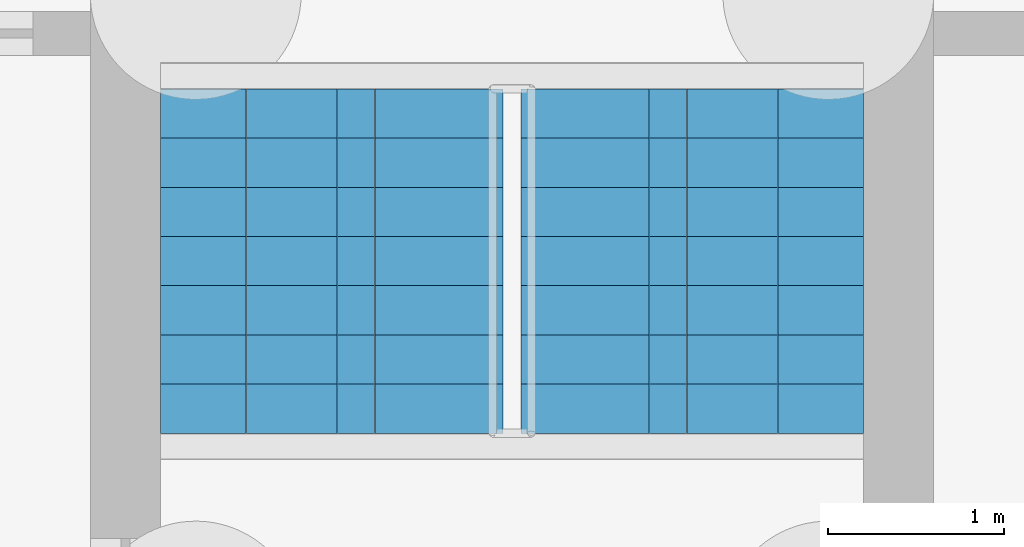
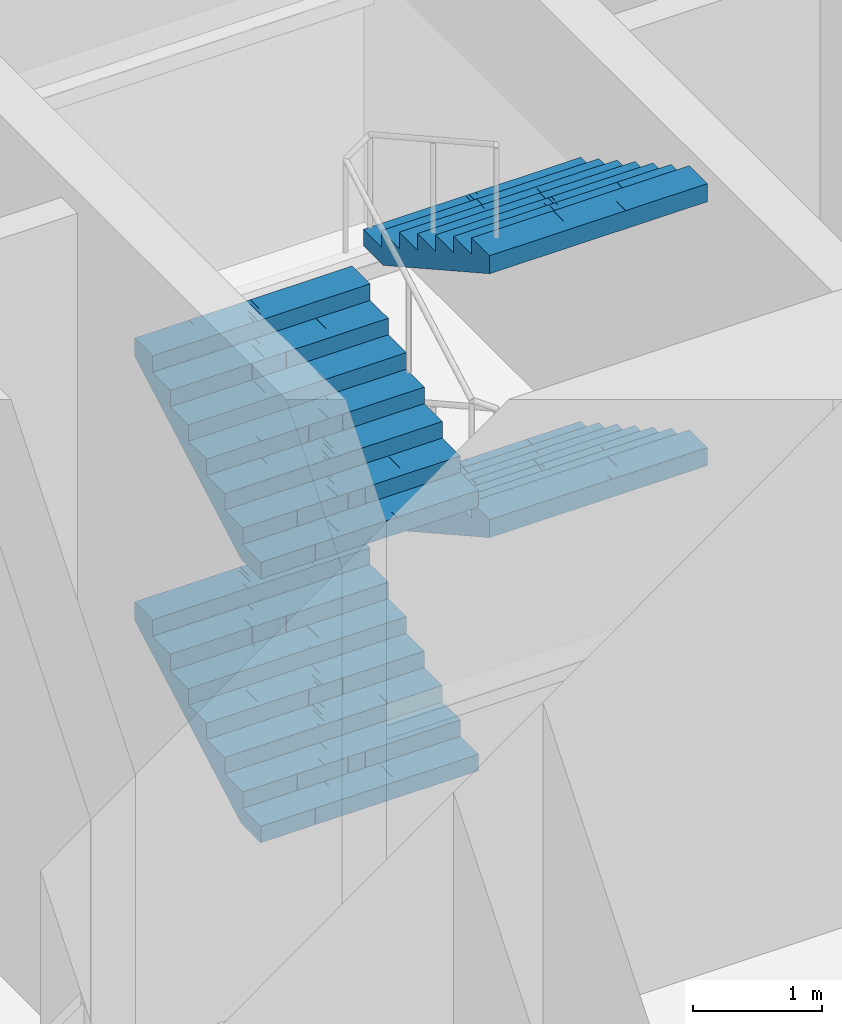
# One storey, part 17 of 31: 4 stair flights, 1 element without a shape of its own.
"""IFC4 building model written with IfcOpenShell, lengths in metres."""

from ifc_helpers import new_model, si_unit, direction, frame, origin, place, context, subcontext, project, spatial, polyline, outline, extrude, material, type_object, element, aggregate, save


model = new_model("IFC4")

# Units and contexts
model_context = context("Model", 3, precision=1e-05, world=origin(), true_north=direction((0.0, 1.0)))
body_context = subcontext(model_context, "Body", "Model", "MODEL_VIEW")
ifc_project = project(units=[si_unit("LENGTHUNIT", "METRE"), si_unit("AREAUNIT", "SQUARE_METRE"), si_unit("VOLUMEUNIT", "CUBIC_METRE"), si_unit("PLANEANGLEUNIT", "RADIAN"), si_unit("MASSUNIT", "GRAM", prefix="KILO")], contexts=[model_context])

# Site, building, storey
site_placement = place(None, origin())
site = spatial("IfcSite", under=ifc_project, at=site_placement, CompositionType="ELEMENT")
building_placement = place(site_placement, origin())
building = spatial("IfcBuilding", under=site, at=building_placement, Name="Mizan Broadcast Tower", CompositionType="ELEMENT")
storey_placement = place(building_placement, frame((0.0, 0.0, -10.0)))
storey = spatial("IfcBuildingStorey", under=building, at=storey_placement, Name="B2", CompositionType="ELEMENT", Elevation=-10.0)

# Stair, stair flights
ifc_material_1 = material(Name="Concrete C40/50", Category="concrete")
stair_type = type_object("IfcStairType", Name="EXIT STAIR", PredefinedType="HALF_TURN_STAIR", material=ifc_material_1)
stair_placement = place(storey_placement, origin())
stair = element("IfcStair", 1, at=stair_placement, inside=storey, type_object=stair_type, Name="Stair A B2", PredefinedType="HALF_TURN_STAIR")
ifc_material_2 = material(Name="Concrete C40/50", Category="concrete")
stair_flight_type = type_object("IfcStairFlightType", Name="EXIT STAIR FLIGHT", PredefinedType="STRAIGHT", material=ifc_material_2)
stair_flight_1_placement = place(storey_placement, frame((-1.02490234375, -7.89990234375, 0.0), z_axis=(0.0, 0.0, 1.0), x_axis=(0.0, 1.0, 0.0)))
stair_flight_1 = element("IfcStairFlight", 2, at=stair_flight_1_placement, type_object=stair_flight_type, Name="A flight 1", NumberOfRisers=8, NumberOfTreads=7, PredefinedType="STRAIGHT", RiserHeight=0.15625, TreadLength=0.28, context=body_context, shape_type="SweptSolid", body=[
    extrude(outline(polyline([(0.0, 0.0), (0.0, 0.15625), (0.280029296875, 0.15625), (0.280029296875, 0.3125), (0.56005859375, 0.3125), (0.56005859375, 0.46875), (0.840087890625, 0.46875), (0.840087890625, 0.625), (1.1201171875, 0.625), (1.1201171875, 0.78125), (1.39990234375, 0.78125), (1.39990234375, 0.9375), (1.679931640625, 0.9375), (1.679931640625, 1.09375), (1.9599609375, 1.09375), (1.9599609375, 1.25), (1.9599609375, 0.922119140625), (0.3076171875, 0.0), (0.0, 0.0)])), frame((0.0, 0.97509765625, 0.0), z_axis=(0.0, -1.0, 0.0), x_axis=(1.0, 0.0, 0.0)), (0.0, 0.0, 1.0), 0.4873046875),
    extrude(outline(polyline([(0.0, 0.0), (0.0, 0.15625), (0.280029296875, 0.15625), (0.280029296875, 0.3125), (0.56005859375, 0.3125), (0.56005859375, 0.46875), (0.840087890625, 0.46875), (0.840087890625, 0.625), (1.1201171875, 0.625), (1.1201171875, 0.78125), (1.39990234375, 0.78125), (1.39990234375, 0.9375), (1.679931640625, 0.9375), (1.679931640625, 1.09375), (1.9599609375, 1.09375), (1.9599609375, 1.25), (1.9599609375, 0.922119140625), (0.3076171875, 0.0), (0.0, 0.0)])), frame((0.0, 0.4873046875, 0.0), z_axis=(0.0, -1.0, 0.0), x_axis=(1.0, 0.0, 0.0)), (0.0, 0.0, 1.0), 0.2431640625),
    extrude(outline(polyline([(0.0, 0.0), (0.0, 0.15625), (0.280029296875, 0.15625), (0.280029296875, 0.3125), (0.56005859375, 0.3125), (0.56005859375, 0.46875), (0.840087890625, 0.46875), (0.840087890625, 0.625), (1.1201171875, 0.625), (1.1201171875, 0.78125), (1.39990234375, 0.78125), (1.39990234375, 0.9375), (1.679931640625, 0.9375), (1.679931640625, 1.09375), (1.9599609375, 1.09375), (1.9599609375, 1.25), (1.9599609375, 0.922119140625), (0.3076171875, 0.0), (0.0, 0.0)])), frame((0.0, 0.24365234375, 0.0), z_axis=(0.0, -1.0, 0.0), x_axis=(1.0, 0.0, 0.0)), (0.0, 0.0, 1.0), 0.121337890625),
    extrude(outline(polyline([(0.0, 0.0), (0.0, 0.15625), (0.280029296875, 0.15625), (0.280029296875, 0.3125), (0.56005859375, 0.3125), (0.56005859375, 0.46875), (0.840087890625, 0.46875), (0.840087890625, 0.625), (1.1201171875, 0.625), (1.1201171875, 0.78125), (1.39990234375, 0.78125), (1.39990234375, 0.9375), (1.679931640625, 0.9375), (1.679931640625, 1.09375), (1.9599609375, 1.09375), (1.9599609375, 1.25), (1.9599609375, 0.922119140625), (0.3076171875, 0.0), (0.0, 0.0)])), frame((0.0, 0.121826171875, 0.0), z_axis=(0.0, -1.0, 0.0), x_axis=(1.0, 0.0, 0.0)), (0.0, 0.0, 1.0), 0.060546875),
    extrude(outline(polyline([(0.0, 0.0), (0.0, 0.15625), (0.280029296875, 0.15625), (0.280029296875, 0.3125), (0.56005859375, 0.3125), (0.56005859375, 0.46875), (0.840087890625, 0.46875), (0.840087890625, 0.625), (1.1201171875, 0.625), (1.1201171875, 0.78125), (1.39990234375, 0.78125), (1.39990234375, 0.9375), (1.679931640625, 0.9375), (1.679931640625, 1.09375), (1.9599609375, 1.09375), (1.9599609375, 1.25), (1.9599609375, 0.922119140625), (0.3076171875, 0.0), (0.0, 0.0)])), frame((0.0, 0.060791015625, 0.0), z_axis=(0.0, -1.0, 0.0), x_axis=(1.0, 0.0, 0.0)), (0.0, 0.0, 1.0), 0.030029296875),
    extrude(outline(polyline([(0.0, 0.0), (0.0, 0.15625), (0.280029296875, 0.15625), (0.280029296875, 0.3125), (0.56005859375, 0.3125), (0.56005859375, 0.46875), (0.840087890625, 0.46875), (0.840087890625, 0.625), (1.1201171875, 0.625), (1.1201171875, 0.78125), (1.39990234375, 0.78125), (1.39990234375, 0.9375), (1.679931640625, 0.9375), (1.679931640625, 1.09375), (1.9599609375, 1.09375), (1.9599609375, 1.25), (1.9599609375, 0.922119140625), (0.3076171875, 0.0), (0.0, 0.0)])), frame((0.0, 0.0302734375, 0.0), z_axis=(0.0, -1.0, 0.0), x_axis=(1.0, 0.0, 0.0)), (0.0, 0.0, 1.0), 0.060302734375),
    extrude(outline(polyline([(0.0, 0.0), (0.0, 0.15625), (0.280029296875, 0.15625), (0.280029296875, 0.3125), (0.56005859375, 0.3125), (0.56005859375, 0.46875), (0.840087890625, 0.46875), (0.840087890625, 0.625), (1.1201171875, 0.625), (1.1201171875, 0.78125), (1.39990234375, 0.78125), (1.39990234375, 0.9375), (1.679931640625, 0.9375), (1.679931640625, 1.09375), (1.9599609375, 1.09375), (1.9599609375, 1.25), (1.9599609375, 0.922119140625), (0.3076171875, 0.0), (0.0, 0.0)])), frame((0.0, -0.030517578125, 0.0), z_axis=(0.0, -1.0, 0.0), x_axis=(1.0, 0.0, 0.0)), (0.0, 0.0, 1.0), 0.030029296875),
    extrude(outline(polyline([(0.0, 0.0), (0.0, 0.15625), (0.280029296875, 0.15625), (0.280029296875, 0.3125), (0.56005859375, 0.3125), (0.56005859375, 0.46875), (0.840087890625, 0.46875), (0.840087890625, 0.625), (1.1201171875, 0.625), (1.1201171875, 0.78125), (1.39990234375, 0.78125), (1.39990234375, 0.9375), (1.679931640625, 0.9375), (1.679931640625, 1.09375), (1.9599609375, 1.09375), (1.9599609375, 1.25), (1.9599609375, 0.922119140625), (0.3076171875, 0.0), (0.0, 0.0)])), frame((0.0, -0.06103515625, 0.0), z_axis=(0.0, -1.0, 0.0), x_axis=(1.0, 0.0, 0.0)), (0.0, 0.0, 1.0), 0.060546875),
    extrude(outline(polyline([(0.0, 0.0), (0.0, 0.15625), (0.280029296875, 0.15625), (0.280029296875, 0.3125), (0.56005859375, 0.3125), (0.56005859375, 0.46875), (0.840087890625, 0.46875), (0.840087890625, 0.625), (1.1201171875, 0.625), (1.1201171875, 0.78125), (1.39990234375, 0.78125), (1.39990234375, 0.9375), (1.679931640625, 0.9375), (1.679931640625, 1.09375), (1.9599609375, 1.09375), (1.9599609375, 1.25), (1.9599609375, 0.922119140625), (0.3076171875, 0.0), (0.0, 0.0)])), frame((0.0, -0.1220703125, 0.0), z_axis=(0.0, -1.0, 0.0), x_axis=(1.0, 0.0, 0.0)), (0.0, 0.0, 1.0), 0.121337890625),
    extrude(outline(polyline([(0.0, 0.0), (0.0, 0.15625), (0.280029296875, 0.15625), (0.280029296875, 0.3125), (0.56005859375, 0.3125), (0.56005859375, 0.46875), (0.840087890625, 0.46875), (0.840087890625, 0.625), (1.1201171875, 0.625), (1.1201171875, 0.78125), (1.39990234375, 0.78125), (1.39990234375, 0.9375), (1.679931640625, 0.9375), (1.679931640625, 1.09375), (1.9599609375, 1.09375), (1.9599609375, 1.25), (1.9599609375, 0.922119140625), (0.3076171875, 0.0), (0.0, 0.0)])), frame((0.0, -0.243896484375, 0.0), z_axis=(0.0, -1.0, 0.0), x_axis=(1.0, 0.0, 0.0)), (0.0, 0.0, 1.0), 0.2431640625),
    extrude(outline(polyline([(0.0, 0.0), (0.0, 0.15625), (0.280029296875, 0.15625), (0.280029296875, 0.3125), (0.56005859375, 0.3125), (0.56005859375, 0.46875), (0.840087890625, 0.46875), (0.840087890625, 0.625), (1.1201171875, 0.625), (1.1201171875, 0.78125), (1.39990234375, 0.78125), (1.39990234375, 0.9375), (1.679931640625, 0.9375), (1.679931640625, 1.09375), (1.9599609375, 1.09375), (1.9599609375, 1.25), (1.9599609375, 0.922119140625), (0.3076171875, 0.0), (0.0, 0.0)])), frame((0.0, -0.487548828125, 0.0), z_axis=(0.0, -1.0, 0.0), x_axis=(1.0, 0.0, 0.0)), (0.0, 0.0, 1.0), 0.4873046875),
])
stair_flight_2_placement = place(storey_placement, frame((1.02490234375, -5.93994140625, 1.25), z_axis=(0.0, 0.0, 1.0), x_axis=(0.0, -1.0, 0.0)))
stair_flight_2 = element("IfcStairFlight", 3, at=stair_flight_2_placement, type_object=stair_flight_type, Name="A flight 2", NumberOfRisers=8, NumberOfTreads=7, PredefinedType="STRAIGHT", RiserHeight=0.15625, TreadLength=0.28, context=body_context, shape_type="SweptSolid", body=[
    extrude(outline(polyline([(0.0, 0.0), (0.0, 0.15625), (0.280029296875, 0.15625), (0.280029296875, 0.3125), (0.56005859375, 0.3125), (0.56005859375, 0.46875), (0.840087890625, 0.46875), (0.840087890625, 0.625), (1.1201171875, 0.625), (1.1201171875, 0.78125), (1.39990234375, 0.78125), (1.39990234375, 0.9375), (1.679931640625, 0.9375), (1.679931640625, 1.09375), (1.9599609375, 1.09375), (1.9599609375, 1.25), (1.9599609375, 0.922119140625), (0.3076171875, 0.0), (0.0, 0.0)])), frame((0.0, 0.97509765625, 0.0), z_axis=(0.0, -1.0, 0.0), x_axis=(1.0, 0.0, 0.0)), (0.0, 0.0, 1.0), 0.4873046875),
    extrude(outline(polyline([(0.0, 0.0), (0.0, 0.15625), (0.280029296875, 0.15625), (0.280029296875, 0.3125), (0.56005859375, 0.3125), (0.56005859375, 0.46875), (0.840087890625, 0.46875), (0.840087890625, 0.625), (1.1201171875, 0.625), (1.1201171875, 0.78125), (1.39990234375, 0.78125), (1.39990234375, 0.9375), (1.679931640625, 0.9375), (1.679931640625, 1.09375), (1.9599609375, 1.09375), (1.9599609375, 1.25), (1.9599609375, 0.922119140625), (0.3076171875, 0.0), (0.0, 0.0)])), frame((0.0, 0.4873046875, 0.0), z_axis=(0.0, -1.0, 0.0), x_axis=(1.0, 0.0, 0.0)), (0.0, 0.0, 1.0), 0.2431640625),
    extrude(outline(polyline([(0.0, 0.0), (0.0, 0.15625), (0.280029296875, 0.15625), (0.280029296875, 0.3125), (0.56005859375, 0.3125), (0.56005859375, 0.46875), (0.840087890625, 0.46875), (0.840087890625, 0.625), (1.1201171875, 0.625), (1.1201171875, 0.78125), (1.39990234375, 0.78125), (1.39990234375, 0.9375), (1.679931640625, 0.9375), (1.679931640625, 1.09375), (1.9599609375, 1.09375), (1.9599609375, 1.25), (1.9599609375, 0.922119140625), (0.3076171875, 0.0), (0.0, 0.0)])), frame((0.0, 0.24365234375, 0.0), z_axis=(0.0, -1.0, 0.0), x_axis=(1.0, 0.0, 0.0)), (0.0, 0.0, 1.0), 0.121337890625),
    extrude(outline(polyline([(0.0, 0.0), (0.0, 0.15625), (0.280029296875, 0.15625), (0.280029296875, 0.3125), (0.56005859375, 0.3125), (0.56005859375, 0.46875), (0.840087890625, 0.46875), (0.840087890625, 0.625), (1.1201171875, 0.625), (1.1201171875, 0.78125), (1.39990234375, 0.78125), (1.39990234375, 0.9375), (1.679931640625, 0.9375), (1.679931640625, 1.09375), (1.9599609375, 1.09375), (1.9599609375, 1.25), (1.9599609375, 0.922119140625), (0.3076171875, 0.0), (0.0, 0.0)])), frame((0.0, 0.121826171875, 0.0), z_axis=(0.0, -1.0, 0.0), x_axis=(1.0, 0.0, 0.0)), (0.0, 0.0, 1.0), 0.060546875),
    extrude(outline(polyline([(0.0, 0.0), (0.0, 0.15625), (0.280029296875, 0.15625), (0.280029296875, 0.3125), (0.56005859375, 0.3125), (0.56005859375, 0.46875), (0.840087890625, 0.46875), (0.840087890625, 0.625), (1.1201171875, 0.625), (1.1201171875, 0.78125), (1.39990234375, 0.78125), (1.39990234375, 0.9375), (1.679931640625, 0.9375), (1.679931640625, 1.09375), (1.9599609375, 1.09375), (1.9599609375, 1.25), (1.9599609375, 0.922119140625), (0.3076171875, 0.0), (0.0, 0.0)])), frame((0.0, 0.060791015625, 0.0), z_axis=(0.0, -1.0, 0.0), x_axis=(1.0, 0.0, 0.0)), (0.0, 0.0, 1.0), 0.030029296875),
    extrude(outline(polyline([(0.0, 0.0), (0.0, 0.15625), (0.280029296875, 0.15625), (0.280029296875, 0.3125), (0.56005859375, 0.3125), (0.56005859375, 0.46875), (0.840087890625, 0.46875), (0.840087890625, 0.625), (1.1201171875, 0.625), (1.1201171875, 0.78125), (1.39990234375, 0.78125), (1.39990234375, 0.9375), (1.679931640625, 0.9375), (1.679931640625, 1.09375), (1.9599609375, 1.09375), (1.9599609375, 1.25), (1.9599609375, 0.922119140625), (0.3076171875, 0.0), (0.0, 0.0)])), frame((0.0, 0.0302734375, 0.0), z_axis=(0.0, -1.0, 0.0), x_axis=(1.0, 0.0, 0.0)), (0.0, 0.0, 1.0), 0.060302734375),
    extrude(outline(polyline([(0.0, 0.0), (0.0, 0.15625), (0.280029296875, 0.15625), (0.280029296875, 0.3125), (0.56005859375, 0.3125), (0.56005859375, 0.46875), (0.840087890625, 0.46875), (0.840087890625, 0.625), (1.1201171875, 0.625), (1.1201171875, 0.78125), (1.39990234375, 0.78125), (1.39990234375, 0.9375), (1.679931640625, 0.9375), (1.679931640625, 1.09375), (1.9599609375, 1.09375), (1.9599609375, 1.25), (1.9599609375, 0.922119140625), (0.3076171875, 0.0), (0.0, 0.0)])), frame((0.0, -0.030517578125, 0.0), z_axis=(0.0, -1.0, 0.0), x_axis=(1.0, 0.0, 0.0)), (0.0, 0.0, 1.0), 0.030029296875),
    extrude(outline(polyline([(0.0, 0.0), (0.0, 0.15625), (0.280029296875, 0.15625), (0.280029296875, 0.3125), (0.56005859375, 0.3125), (0.56005859375, 0.46875), (0.840087890625, 0.46875), (0.840087890625, 0.625), (1.1201171875, 0.625), (1.1201171875, 0.78125), (1.39990234375, 0.78125), (1.39990234375, 0.9375), (1.679931640625, 0.9375), (1.679931640625, 1.09375), (1.9599609375, 1.09375), (1.9599609375, 1.25), (1.9599609375, 0.922119140625), (0.3076171875, 0.0), (0.0, 0.0)])), frame((0.0, -0.06103515625, 0.0), z_axis=(0.0, -1.0, 0.0), x_axis=(1.0, 0.0, 0.0)), (0.0, 0.0, 1.0), 0.060546875),
    extrude(outline(polyline([(0.0, 0.0), (0.0, 0.15625), (0.280029296875, 0.15625), (0.280029296875, 0.3125), (0.56005859375, 0.3125), (0.56005859375, 0.46875), (0.840087890625, 0.46875), (0.840087890625, 0.625), (1.1201171875, 0.625), (1.1201171875, 0.78125), (1.39990234375, 0.78125), (1.39990234375, 0.9375), (1.679931640625, 0.9375), (1.679931640625, 1.09375), (1.9599609375, 1.09375), (1.9599609375, 1.25), (1.9599609375, 0.922119140625), (0.3076171875, 0.0), (0.0, 0.0)])), frame((0.0, -0.1220703125, 0.0), z_axis=(0.0, -1.0, 0.0), x_axis=(1.0, 0.0, 0.0)), (0.0, 0.0, 1.0), 0.121337890625),
    extrude(outline(polyline([(0.0, 0.0), (0.0, 0.15625), (0.280029296875, 0.15625), (0.280029296875, 0.3125), (0.56005859375, 0.3125), (0.56005859375, 0.46875), (0.840087890625, 0.46875), (0.840087890625, 0.625), (1.1201171875, 0.625), (1.1201171875, 0.78125), (1.39990234375, 0.78125), (1.39990234375, 0.9375), (1.679931640625, 0.9375), (1.679931640625, 1.09375), (1.9599609375, 1.09375), (1.9599609375, 1.25), (1.9599609375, 0.922119140625), (0.3076171875, 0.0), (0.0, 0.0)])), frame((0.0, -0.243896484375, 0.0), z_axis=(0.0, -1.0, 0.0), x_axis=(1.0, 0.0, 0.0)), (0.0, 0.0, 1.0), 0.2431640625),
    extrude(outline(polyline([(0.0, 0.0), (0.0, 0.15625), (0.280029296875, 0.15625), (0.280029296875, 0.3125), (0.56005859375, 0.3125), (0.56005859375, 0.46875), (0.840087890625, 0.46875), (0.840087890625, 0.625), (1.1201171875, 0.625), (1.1201171875, 0.78125), (1.39990234375, 0.78125), (1.39990234375, 0.9375), (1.679931640625, 0.9375), (1.679931640625, 1.09375), (1.9599609375, 1.09375), (1.9599609375, 1.25), (1.9599609375, 0.922119140625), (0.3076171875, 0.0), (0.0, 0.0)])), frame((0.0, -0.487548828125, 0.0), z_axis=(0.0, -1.0, 0.0), x_axis=(1.0, 0.0, 0.0)), (0.0, 0.0, 1.0), 0.4873046875),
])
stair_flight_3_placement = place(storey_placement, frame((-1.02490234375, -7.89990234375, 2.5), z_axis=(0.0, 0.0, 1.0), x_axis=(0.0, 1.0, 0.0)))
stair_flight_3 = element("IfcStairFlight", 4, at=stair_flight_3_placement, type_object=stair_flight_type, Name="A flight 3", NumberOfRisers=8, NumberOfTreads=7, PredefinedType="STRAIGHT", RiserHeight=0.15625, TreadLength=0.28, context=body_context, shape_type="SweptSolid", body=[
    extrude(outline(polyline([(0.0, 0.0), (0.0, 0.15625), (0.280029296875, 0.15625), (0.280029296875, 0.3125), (0.56005859375, 0.3125), (0.56005859375, 0.46875), (0.840087890625, 0.46875), (0.840087890625, 0.625), (1.1201171875, 0.625), (1.1201171875, 0.78125), (1.39990234375, 0.78125), (1.39990234375, 0.9375), (1.679931640625, 0.9375), (1.679931640625, 1.09375), (1.9599609375, 1.09375), (1.9599609375, 1.25), (1.9599609375, 0.922119140625), (0.3076171875, 0.0), (0.0, 0.0)])), frame((0.0, 0.97509765625, 0.0), z_axis=(0.0, -1.0, 0.0), x_axis=(1.0, 0.0, 0.0)), (0.0, 0.0, 1.0), 0.4873046875),
    extrude(outline(polyline([(0.0, 0.0), (0.0, 0.15625), (0.280029296875, 0.15625), (0.280029296875, 0.3125), (0.56005859375, 0.3125), (0.56005859375, 0.46875), (0.840087890625, 0.46875), (0.840087890625, 0.625), (1.1201171875, 0.625), (1.1201171875, 0.78125), (1.39990234375, 0.78125), (1.39990234375, 0.9375), (1.679931640625, 0.9375), (1.679931640625, 1.09375), (1.9599609375, 1.09375), (1.9599609375, 1.25), (1.9599609375, 0.922119140625), (0.3076171875, 0.0), (0.0, 0.0)])), frame((0.0, 0.4873046875, 0.0), z_axis=(0.0, -1.0, 0.0), x_axis=(1.0, 0.0, 0.0)), (0.0, 0.0, 1.0), 0.2431640625),
    extrude(outline(polyline([(0.0, 0.0), (0.0, 0.15625), (0.280029296875, 0.15625), (0.280029296875, 0.3125), (0.56005859375, 0.3125), (0.56005859375, 0.46875), (0.840087890625, 0.46875), (0.840087890625, 0.625), (1.1201171875, 0.625), (1.1201171875, 0.78125), (1.39990234375, 0.78125), (1.39990234375, 0.9375), (1.679931640625, 0.9375), (1.679931640625, 1.09375), (1.9599609375, 1.09375), (1.9599609375, 1.25), (1.9599609375, 0.922119140625), (0.3076171875, 0.0), (0.0, 0.0)])), frame((0.0, 0.24365234375, 0.0), z_axis=(0.0, -1.0, 0.0), x_axis=(1.0, 0.0, 0.0)), (0.0, 0.0, 1.0), 0.121337890625),
    extrude(outline(polyline([(0.0, 0.0), (0.0, 0.15625), (0.280029296875, 0.15625), (0.280029296875, 0.3125), (0.56005859375, 0.3125), (0.56005859375, 0.46875), (0.840087890625, 0.46875), (0.840087890625, 0.625), (1.1201171875, 0.625), (1.1201171875, 0.78125), (1.39990234375, 0.78125), (1.39990234375, 0.9375), (1.679931640625, 0.9375), (1.679931640625, 1.09375), (1.9599609375, 1.09375), (1.9599609375, 1.25), (1.9599609375, 0.922119140625), (0.3076171875, 0.0), (0.0, 0.0)])), frame((0.0, 0.121826171875, 0.0), z_axis=(0.0, -1.0, 0.0), x_axis=(1.0, 0.0, 0.0)), (0.0, 0.0, 1.0), 0.060546875),
    extrude(outline(polyline([(0.0, 0.0), (0.0, 0.15625), (0.280029296875, 0.15625), (0.280029296875, 0.3125), (0.56005859375, 0.3125), (0.56005859375, 0.46875), (0.840087890625, 0.46875), (0.840087890625, 0.625), (1.1201171875, 0.625), (1.1201171875, 0.78125), (1.39990234375, 0.78125), (1.39990234375, 0.9375), (1.679931640625, 0.9375), (1.679931640625, 1.09375), (1.9599609375, 1.09375), (1.9599609375, 1.25), (1.9599609375, 0.922119140625), (0.3076171875, 0.0), (0.0, 0.0)])), frame((0.0, 0.060791015625, 0.0), z_axis=(0.0, -1.0, 0.0), x_axis=(1.0, 0.0, 0.0)), (0.0, 0.0, 1.0), 0.030029296875),
    extrude(outline(polyline([(0.0, 0.0), (0.0, 0.15625), (0.280029296875, 0.15625), (0.280029296875, 0.3125), (0.56005859375, 0.3125), (0.56005859375, 0.46875), (0.840087890625, 0.46875), (0.840087890625, 0.625), (1.1201171875, 0.625), (1.1201171875, 0.78125), (1.39990234375, 0.78125), (1.39990234375, 0.9375), (1.679931640625, 0.9375), (1.679931640625, 1.09375), (1.9599609375, 1.09375), (1.9599609375, 1.25), (1.9599609375, 0.922119140625), (0.3076171875, 0.0), (0.0, 0.0)])), frame((0.0, 0.0302734375, 0.0), z_axis=(0.0, -1.0, 0.0), x_axis=(1.0, 0.0, 0.0)), (0.0, 0.0, 1.0), 0.060302734375),
    extrude(outline(polyline([(0.0, 0.0), (0.0, 0.15625), (0.280029296875, 0.15625), (0.280029296875, 0.3125), (0.56005859375, 0.3125), (0.56005859375, 0.46875), (0.840087890625, 0.46875), (0.840087890625, 0.625), (1.1201171875, 0.625), (1.1201171875, 0.78125), (1.39990234375, 0.78125), (1.39990234375, 0.9375), (1.679931640625, 0.9375), (1.679931640625, 1.09375), (1.9599609375, 1.09375), (1.9599609375, 1.25), (1.9599609375, 0.922119140625), (0.3076171875, 0.0), (0.0, 0.0)])), frame((0.0, -0.030517578125, 0.0), z_axis=(0.0, -1.0, 0.0), x_axis=(1.0, 0.0, 0.0)), (0.0, 0.0, 1.0), 0.030029296875),
    extrude(outline(polyline([(0.0, 0.0), (0.0, 0.15625), (0.280029296875, 0.15625), (0.280029296875, 0.3125), (0.56005859375, 0.3125), (0.56005859375, 0.46875), (0.840087890625, 0.46875), (0.840087890625, 0.625), (1.1201171875, 0.625), (1.1201171875, 0.78125), (1.39990234375, 0.78125), (1.39990234375, 0.9375), (1.679931640625, 0.9375), (1.679931640625, 1.09375), (1.9599609375, 1.09375), (1.9599609375, 1.25), (1.9599609375, 0.922119140625), (0.3076171875, 0.0), (0.0, 0.0)])), frame((0.0, -0.06103515625, 0.0), z_axis=(0.0, -1.0, 0.0), x_axis=(1.0, 0.0, 0.0)), (0.0, 0.0, 1.0), 0.060546875),
    extrude(outline(polyline([(0.0, 0.0), (0.0, 0.15625), (0.280029296875, 0.15625), (0.280029296875, 0.3125), (0.56005859375, 0.3125), (0.56005859375, 0.46875), (0.840087890625, 0.46875), (0.840087890625, 0.625), (1.1201171875, 0.625), (1.1201171875, 0.78125), (1.39990234375, 0.78125), (1.39990234375, 0.9375), (1.679931640625, 0.9375), (1.679931640625, 1.09375), (1.9599609375, 1.09375), (1.9599609375, 1.25), (1.9599609375, 0.922119140625), (0.3076171875, 0.0), (0.0, 0.0)])), frame((0.0, -0.1220703125, 0.0), z_axis=(0.0, -1.0, 0.0), x_axis=(1.0, 0.0, 0.0)), (0.0, 0.0, 1.0), 0.121337890625),
    extrude(outline(polyline([(0.0, 0.0), (0.0, 0.15625), (0.280029296875, 0.15625), (0.280029296875, 0.3125), (0.56005859375, 0.3125), (0.56005859375, 0.46875), (0.840087890625, 0.46875), (0.840087890625, 0.625), (1.1201171875, 0.625), (1.1201171875, 0.78125), (1.39990234375, 0.78125), (1.39990234375, 0.9375), (1.679931640625, 0.9375), (1.679931640625, 1.09375), (1.9599609375, 1.09375), (1.9599609375, 1.25), (1.9599609375, 0.922119140625), (0.3076171875, 0.0), (0.0, 0.0)])), frame((0.0, -0.243896484375, 0.0), z_axis=(0.0, -1.0, 0.0), x_axis=(1.0, 0.0, 0.0)), (0.0, 0.0, 1.0), 0.2431640625),
    extrude(outline(polyline([(0.0, 0.0), (0.0, 0.15625), (0.280029296875, 0.15625), (0.280029296875, 0.3125), (0.56005859375, 0.3125), (0.56005859375, 0.46875), (0.840087890625, 0.46875), (0.840087890625, 0.625), (1.1201171875, 0.625), (1.1201171875, 0.78125), (1.39990234375, 0.78125), (1.39990234375, 0.9375), (1.679931640625, 0.9375), (1.679931640625, 1.09375), (1.9599609375, 1.09375), (1.9599609375, 1.25), (1.9599609375, 0.922119140625), (0.3076171875, 0.0), (0.0, 0.0)])), frame((0.0, -0.487548828125, 0.0), z_axis=(0.0, -1.0, 0.0), x_axis=(1.0, 0.0, 0.0)), (0.0, 0.0, 1.0), 0.4873046875),
])
stair_flight_4_placement = place(storey_placement, frame((1.02490234375, -5.93994140625, 3.75), z_axis=(0.0, 0.0, 1.0), x_axis=(0.0, -1.0, 0.0)))
stair_flight_4 = element("IfcStairFlight", 5, at=stair_flight_4_placement, type_object=stair_flight_type, Name="A flight 4", NumberOfRisers=8, NumberOfTreads=7, PredefinedType="STRAIGHT", RiserHeight=0.15625, TreadLength=0.28, context=body_context, shape_type="SweptSolid", body=[
    extrude(outline(polyline([(0.0, 0.0), (0.0, 0.15625), (0.280029296875, 0.15625), (0.280029296875, 0.3125), (0.56005859375, 0.3125), (0.56005859375, 0.46875), (0.840087890625, 0.46875), (0.840087890625, 0.625), (1.1201171875, 0.625), (1.1201171875, 0.78125), (1.39990234375, 0.78125), (1.39990234375, 0.9375), (1.679931640625, 0.9375), (1.679931640625, 1.09375), (1.9599609375, 1.09375), (1.9599609375, 1.25), (1.9599609375, 0.922119140625), (0.3076171875, 0.0), (0.0, 0.0)])), frame((0.0, 0.97509765625, 0.0), z_axis=(0.0, -1.0, 0.0), x_axis=(1.0, 0.0, 0.0)), (0.0, 0.0, 1.0), 0.4873046875),
    extrude(outline(polyline([(0.0, 0.0), (0.0, 0.15625), (0.280029296875, 0.15625), (0.280029296875, 0.3125), (0.56005859375, 0.3125), (0.56005859375, 0.46875), (0.840087890625, 0.46875), (0.840087890625, 0.625), (1.1201171875, 0.625), (1.1201171875, 0.78125), (1.39990234375, 0.78125), (1.39990234375, 0.9375), (1.679931640625, 0.9375), (1.679931640625, 1.09375), (1.9599609375, 1.09375), (1.9599609375, 1.25), (1.9599609375, 0.922119140625), (0.3076171875, 0.0), (0.0, 0.0)])), frame((0.0, 0.4873046875, 0.0), z_axis=(0.0, -1.0, 0.0), x_axis=(1.0, 0.0, 0.0)), (0.0, 0.0, 1.0), 0.2431640625),
    extrude(outline(polyline([(0.0, 0.0), (0.0, 0.15625), (0.280029296875, 0.15625), (0.280029296875, 0.3125), (0.56005859375, 0.3125), (0.56005859375, 0.46875), (0.840087890625, 0.46875), (0.840087890625, 0.625), (1.1201171875, 0.625), (1.1201171875, 0.78125), (1.39990234375, 0.78125), (1.39990234375, 0.9375), (1.679931640625, 0.9375), (1.679931640625, 1.09375), (1.9599609375, 1.09375), (1.9599609375, 1.25), (1.9599609375, 0.922119140625), (0.3076171875, 0.0), (0.0, 0.0)])), frame((0.0, 0.24365234375, 0.0), z_axis=(0.0, -1.0, 0.0), x_axis=(1.0, 0.0, 0.0)), (0.0, 0.0, 1.0), 0.121337890625),
    extrude(outline(polyline([(0.0, 0.0), (0.0, 0.15625), (0.280029296875, 0.15625), (0.280029296875, 0.3125), (0.56005859375, 0.3125), (0.56005859375, 0.46875), (0.840087890625, 0.46875), (0.840087890625, 0.625), (1.1201171875, 0.625), (1.1201171875, 0.78125), (1.39990234375, 0.78125), (1.39990234375, 0.9375), (1.679931640625, 0.9375), (1.679931640625, 1.09375), (1.9599609375, 1.09375), (1.9599609375, 1.25), (1.9599609375, 0.922119140625), (0.3076171875, 0.0), (0.0, 0.0)])), frame((0.0, 0.121826171875, 0.0), z_axis=(0.0, -1.0, 0.0), x_axis=(1.0, 0.0, 0.0)), (0.0, 0.0, 1.0), 0.060546875),
    extrude(outline(polyline([(0.0, 0.0), (0.0, 0.15625), (0.280029296875, 0.15625), (0.280029296875, 0.3125), (0.56005859375, 0.3125), (0.56005859375, 0.46875), (0.840087890625, 0.46875), (0.840087890625, 0.625), (1.1201171875, 0.625), (1.1201171875, 0.78125), (1.39990234375, 0.78125), (1.39990234375, 0.9375), (1.679931640625, 0.9375), (1.679931640625, 1.09375), (1.9599609375, 1.09375), (1.9599609375, 1.25), (1.9599609375, 0.922119140625), (0.3076171875, 0.0), (0.0, 0.0)])), frame((0.0, 0.060791015625, 0.0), z_axis=(0.0, -1.0, 0.0), x_axis=(1.0, 0.0, 0.0)), (0.0, 0.0, 1.0), 0.030029296875),
    extrude(outline(polyline([(0.0, 0.0), (0.0, 0.15625), (0.280029296875, 0.15625), (0.280029296875, 0.3125), (0.56005859375, 0.3125), (0.56005859375, 0.46875), (0.840087890625, 0.46875), (0.840087890625, 0.625), (1.1201171875, 0.625), (1.1201171875, 0.78125), (1.39990234375, 0.78125), (1.39990234375, 0.9375), (1.679931640625, 0.9375), (1.679931640625, 1.09375), (1.9599609375, 1.09375), (1.9599609375, 1.25), (1.9599609375, 0.922119140625), (0.3076171875, 0.0), (0.0, 0.0)])), frame((0.0, 0.0302734375, 0.0), z_axis=(0.0, -1.0, 0.0), x_axis=(1.0, 0.0, 0.0)), (0.0, 0.0, 1.0), 0.060302734375),
    extrude(outline(polyline([(0.0, 0.0), (0.0, 0.15625), (0.280029296875, 0.15625), (0.280029296875, 0.3125), (0.56005859375, 0.3125), (0.56005859375, 0.46875), (0.840087890625, 0.46875), (0.840087890625, 0.625), (1.1201171875, 0.625), (1.1201171875, 0.78125), (1.39990234375, 0.78125), (1.39990234375, 0.9375), (1.679931640625, 0.9375), (1.679931640625, 1.09375), (1.9599609375, 1.09375), (1.9599609375, 1.25), (1.9599609375, 0.922119140625), (0.3076171875, 0.0), (0.0, 0.0)])), frame((0.0, -0.030517578125, 0.0), z_axis=(0.0, -1.0, 0.0), x_axis=(1.0, 0.0, 0.0)), (0.0, 0.0, 1.0), 0.030029296875),
    extrude(outline(polyline([(0.0, 0.0), (0.0, 0.15625), (0.280029296875, 0.15625), (0.280029296875, 0.3125), (0.56005859375, 0.3125), (0.56005859375, 0.46875), (0.840087890625, 0.46875), (0.840087890625, 0.625), (1.1201171875, 0.625), (1.1201171875, 0.78125), (1.39990234375, 0.78125), (1.39990234375, 0.9375), (1.679931640625, 0.9375), (1.679931640625, 1.09375), (1.9599609375, 1.09375), (1.9599609375, 1.25), (1.9599609375, 0.922119140625), (0.3076171875, 0.0), (0.0, 0.0)])), frame((0.0, -0.06103515625, 0.0), z_axis=(0.0, -1.0, 0.0), x_axis=(1.0, 0.0, 0.0)), (0.0, 0.0, 1.0), 0.060546875),
    extrude(outline(polyline([(0.0, 0.0), (0.0, 0.15625), (0.280029296875, 0.15625), (0.280029296875, 0.3125), (0.56005859375, 0.3125), (0.56005859375, 0.46875), (0.840087890625, 0.46875), (0.840087890625, 0.625), (1.1201171875, 0.625), (1.1201171875, 0.78125), (1.39990234375, 0.78125), (1.39990234375, 0.9375), (1.679931640625, 0.9375), (1.679931640625, 1.09375), (1.9599609375, 1.09375), (1.9599609375, 1.25), (1.9599609375, 0.922119140625), (0.3076171875, 0.0), (0.0, 0.0)])), frame((0.0, -0.1220703125, 0.0), z_axis=(0.0, -1.0, 0.0), x_axis=(1.0, 0.0, 0.0)), (0.0, 0.0, 1.0), 0.121337890625),
    extrude(outline(polyline([(0.0, 0.0), (0.0, 0.15625), (0.280029296875, 0.15625), (0.280029296875, 0.3125), (0.56005859375, 0.3125), (0.56005859375, 0.46875), (0.840087890625, 0.46875), (0.840087890625, 0.625), (1.1201171875, 0.625), (1.1201171875, 0.78125), (1.39990234375, 0.78125), (1.39990234375, 0.9375), (1.679931640625, 0.9375), (1.679931640625, 1.09375), (1.9599609375, 1.09375), (1.9599609375, 1.25), (1.9599609375, 0.922119140625), (0.3076171875, 0.0), (0.0, 0.0)])), frame((0.0, -0.243896484375, 0.0), z_axis=(0.0, -1.0, 0.0), x_axis=(1.0, 0.0, 0.0)), (0.0, 0.0, 1.0), 0.2431640625),
    extrude(outline(polyline([(0.0, 0.0), (0.0, 0.15625), (0.280029296875, 0.15625), (0.280029296875, 0.3125), (0.56005859375, 0.3125), (0.56005859375, 0.46875), (0.840087890625, 0.46875), (0.840087890625, 0.625), (1.1201171875, 0.625), (1.1201171875, 0.78125), (1.39990234375, 0.78125), (1.39990234375, 0.9375), (1.679931640625, 0.9375), (1.679931640625, 1.09375), (1.9599609375, 1.09375), (1.9599609375, 1.25), (1.9599609375, 0.922119140625), (0.3076171875, 0.0), (0.0, 0.0)])), frame((0.0, -0.487548828125, 0.0), z_axis=(0.0, -1.0, 0.0), x_axis=(1.0, 0.0, 0.0)), (0.0, 0.0, 1.0), 0.4873046875),
])
aggregate(stair, [stair_flight_1, stair_flight_2, stair_flight_3, stair_flight_4])

save(model, "model.ifc")
